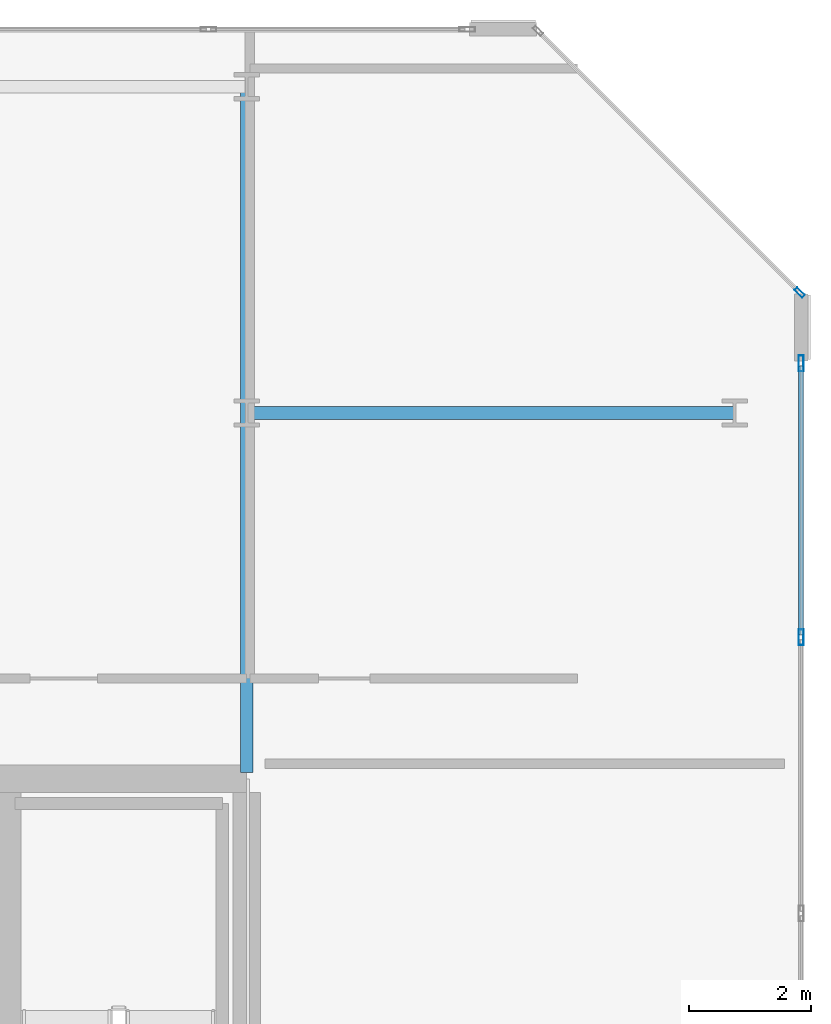
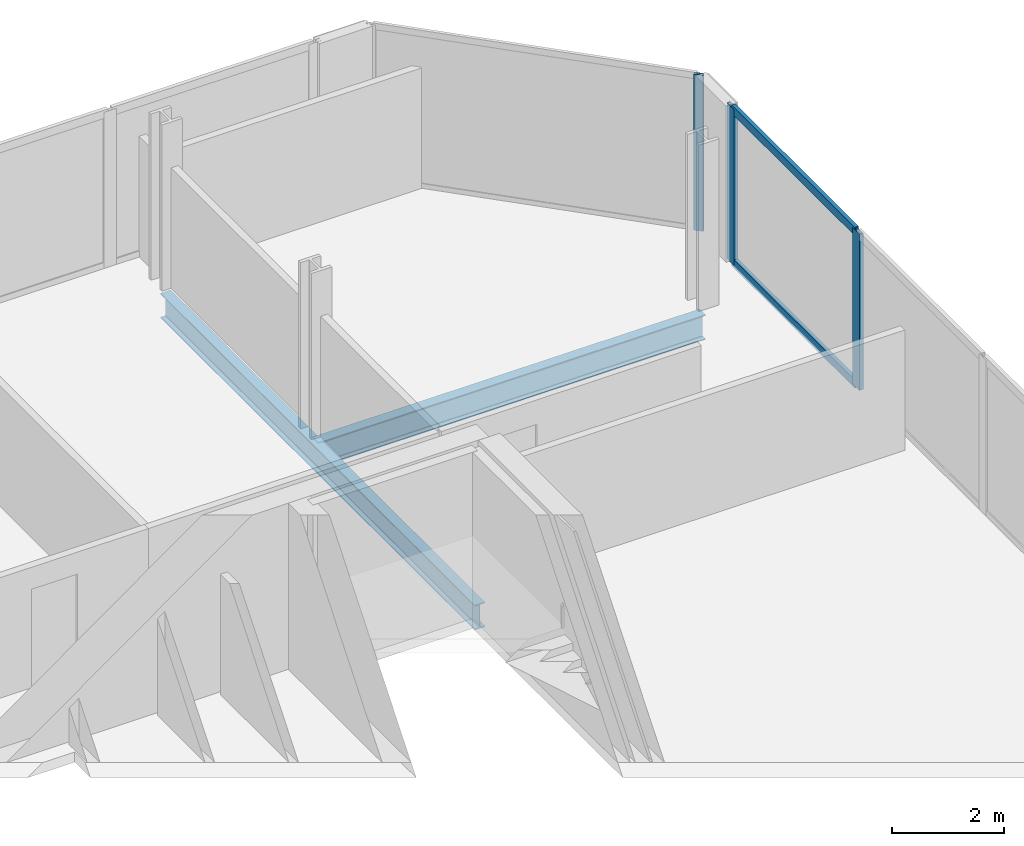
# One storey, part 11 of 17: 5 members, 2 beams, 2 elements without a shape of their own.
"""IFC4 building model written with IfcOpenShell, lengths in metres."""

from ifc_helpers import new_model, si_unit, direction, frame, origin, origin_2d, place, context, subcontext, project, spatial, hollow_rectangle, i_section, extrude, material, layer, layer_set, material_profile, profile_set, type_object, element, aggregate, save


model = new_model("IFC4")

# Units and contexts
model_context = context("Model", 3, precision=1e-05, world=origin(), true_north=direction((0.0, 1.0)))
body_context = subcontext(model_context, "Body", "Model", "MODEL_VIEW")
ifc_project = project(units=[si_unit("LENGTHUNIT", "METRE"), si_unit("AREAUNIT", "SQUARE_METRE"), si_unit("VOLUMEUNIT", "CUBIC_METRE"), si_unit("PLANEANGLEUNIT", "RADIAN"), si_unit("MASSUNIT", "GRAM", prefix="KILO")], contexts=[model_context])

# Site, building, storey
site_placement = place(None, origin())
site = spatial("IfcSite", under=ifc_project, at=site_placement, CompositionType="ELEMENT")
building_placement = place(site_placement, origin())
building = spatial("IfcBuilding", under=site, at=building_placement, Name="Tanjung Sevakor Pilgrim Tower", CompositionType="ELEMENT")
storey_placement = place(building_placement, frame((0.0, 0.0, 264.330078125)))
storey = spatial("IfcBuildingStorey", under=building, at=storey_placement, Name="L74", CompositionType="ELEMENT", Elevation=264.330078125)

# Beams
ifc_material_1 = material(Name="Steel S355J2", Category="steel")
ifc_material_profile_1 = material_profile(ifc_material_1, i_section(OverallWidth=0.2119140625, OverallDepth=0.54443359375, WebThickness=0.0126953125, FlangeThickness=0.021240234375, FilletRadius=0.0126953125, at=origin_2d()))
ifc_profile_set_1 = profile_set([ifc_material_profile_1], Name="Steel S355J2")
beam_type_1 = type_object("IfcBeamType", Name="BM-B-G5-UB_533x210x122", PredefinedType="BEAM", material=ifc_profile_set_1)
beam_1_placement = place(storey_placement, frame((90.0, 48.60009765625, -0.4921875), z_axis=(1.0, 0.0, 0.0), x_axis=(0.0, 1.0, 0.0)))
element("IfcBeam", 1, at=beam_1_placement, inside=storey, type_object=beam_type_1, Name="L74 East Peak Wing Girder Y48.6", PredefinedType="BEAM", context=body_context, shape_type="SweptSolid", body=[
    extrude(i_section(OverallWidth=0.2119140625, OverallDepth=0.54443359375, WebThickness=0.0126953125, FlangeThickness=0.021240234375, FilletRadius=0.0126953125, at=origin_2d()), origin(), (0.0, 0.0, 1.0), 8.0),
])
ifc_material_2 = material(Name="Steel S355J2", Category="steel")
ifc_material_profile_2 = material_profile(ifc_material_2, i_section(OverallWidth=0.210693359375, OverallDepth=0.53955078125, WebThickness=0.01171875, FlangeThickness=0.018798828125, FilletRadius=0.0126953125, at=origin_2d()))
ifc_profile_set_2 = profile_set([ifc_material_profile_2], Name="Steel S355J2")
beam_type_2 = type_object("IfcBeamType", Name="BM-B-G6-UB_533x210x109", PredefinedType="BEAM", material=ifc_profile_set_2)
beam_2_placement = place(storey_placement, frame((90.0, 42.7060546875, -0.48974609375), z_axis=(0.0, 1.0, 0.0), x_axis=(-1.0, 0.0, 0.0)))
element("IfcBeam", 2, at=beam_2_placement, inside=storey, type_object=beam_type_2, Name="L74 EAST Girder 010", PredefinedType="BEAM", context=body_context, shape_type="SweptSolid", body=[
    extrude(i_section(OverallWidth=0.210693359375, OverallDepth=0.53955078125, WebThickness=0.01171875, FlangeThickness=0.018798828125, FilletRadius=0.0126953125, at=origin_2d()), origin(), (0.0, 0.0, 1.0), 11.243896484375),
])

# Curtain wall, member
ifc_material_3 = material(Name="Aluminium 6063-T6 and Low-E Glass", Category="aluminium")
ifc_layer_1 = layer(ifc_material_3, 0.179931640625)
ifc_layer_set_1 = layer_set([ifc_layer_1], Name="CW-SYS-CHAM")
curtain_wall_type_1 = type_object("IfcCurtainWallType", Name="CW-SYS-CHAM", PredefinedType="NOTDEFINED", material=ifc_layer_set_1)
curtain_wall_1_placement = place(storey_placement, origin())
curtain_wall_1 = element("IfcCurtainWall", 3, at=curtain_wall_1_placement, inside=storey, type_object=curtain_wall_type_1, Name="L74 Curtain Wall CW-CHM-L74-EAST-3", PredefinedType="NOTDEFINED")
ifc_material_4 = material(Name="Aluminium 6063-T6", Category="aluminium")
ifc_material_profile_3 = material_profile(ifc_material_4, hollow_rectangle(XDim=0.06494140625, YDim=0.179931640625, WallThickness=0.00390625, at=origin_2d()))
ifc_profile_set_3 = profile_set([ifc_material_profile_3], Name="Aluminium 6063-T6")
member_type_1 = type_object("IfcMemberType", Name="TYPE-CWM-1", PredefinedType="MULLION", material=ifc_profile_set_3)
member_1_placement = place(storey_placement, frame((99.067138671875, 50.577392578125, 0.0), z_axis=(0.0, 0.0, 1.0), x_axis=(-0.707106781187, -0.707106781187, 0.0)))
member_1 = element("IfcMember", 4, at=member_1_placement, type_object=member_type_1, Name="CW-CHM mullion 1", PredefinedType="MULLION", context=body_context, shape_type="SweptSolid", body=[
    extrude(hollow_rectangle(XDim=0.06494140625, YDim=0.179931640625, WallThickness=0.00390625, at=origin_2d()), origin(), (0.0, 0.0, 1.0), 3.409912109375),
])
aggregate(curtain_wall_1, [member_1])

# Curtain wall, members
ifc_material_5 = material(Name="Aluminium 6063-T6 and Low-E Glass", Category="aluminium")
ifc_layer_2 = layer(ifc_material_5, 0.219970703125)
ifc_layer_set_2 = layer_set([ifc_layer_2], Name="CW-SYS-CRNE")
curtain_wall_type_2 = type_object("IfcCurtainWallType", Name="CW-SYS-CRNE", PredefinedType="NOTDEFINED", material=ifc_layer_set_2)
curtain_wall_2_placement = place(storey_placement, origin())
curtain_wall_2 = element("IfcCurtainWall", 5, at=curtain_wall_2_placement, inside=storey, type_object=curtain_wall_type_2, Name="L74 Curtain Wall CW-CRN-L74-EAST-2-1", PredefinedType="NOTDEFINED")
ifc_material_6 = material(Name="Aluminium 6063-T6", Category="aluminium")
ifc_material_profile_4 = material_profile(ifc_material_6, hollow_rectangle(XDim=0.080078125, YDim=0.260009765625, WallThickness=0.0048828125, at=origin_2d()))
ifc_profile_set_4 = profile_set([ifc_material_profile_4], Name="Aluminium 6063-T6")
member_type_2 = type_object("IfcMemberType", Name="TYPE-CWM-3", PredefinedType="MULLION", material=ifc_profile_set_4)
member_2_placement = place(storey_placement, frame((99.090087890625, 44.924560546875, 0.0), z_axis=(0.0, 0.0, 1.0), x_axis=(-1.0, 0.0, 0.0)))
member_2 = element("IfcMember", 6, at=member_2_placement, type_object=member_type_2, Name="CW-CRE mullion 7", PredefinedType="MULLION", context=body_context, shape_type="SweptSolid", body=[
    extrude(hollow_rectangle(XDim=0.080078125, YDim=0.260009765625, WallThickness=0.0048828125, at=origin_2d()), origin(), (0.0, 0.0, 1.0), 3.409912109375),
])
member_3_placement = place(storey_placement, frame((99.090087890625, 49.414306640625, 0.0), z_axis=(0.0, 0.0, 1.0), x_axis=(-1.0, 0.0, 0.0)))
member_3 = element("IfcMember", 7, at=member_3_placement, type_object=member_type_2, Name="CW-CRE mullion 8", PredefinedType="MULLION", context=body_context, shape_type="SweptSolid", body=[
    extrude(hollow_rectangle(XDim=0.080078125, YDim=0.260009765625, WallThickness=0.0048828125, at=origin_2d()), origin(), (0.0, 0.0, 1.0), 3.409912109375),
])
ifc_material_7 = material(Name="Aluminium 6063-T6", Category="aluminium")
ifc_material_profile_5 = material_profile(ifc_material_7, hollow_rectangle(XDim=0.080078125, YDim=0.179931640625, WallThickness=0.0048828125, at=origin_2d()))
ifc_profile_set_5 = profile_set([ifc_material_profile_5], Name="Aluminium 6063-T6")
member_type_3 = type_object("IfcMemberType", Name="TYPE-CWT-3", PredefinedType="USERDEFINED", material=ifc_profile_set_5)
member_4_placement = place(storey_placement, frame((99.090087890625, 44.964599609375, 0.0400390625), z_axis=(0.0, 1.0, 0.0), x_axis=(-1.0, 0.0, 0.0)))
member_4 = element("IfcMember", 8, at=member_4_placement, type_object=member_type_3, Name="CW-CRE transom 7.1", ObjectType="TRANSOM", PredefinedType="USERDEFINED", context=body_context, shape_type="SweptSolid", body=[
    extrude(hollow_rectangle(XDim=0.080078125, YDim=0.179931640625, WallThickness=0.0048828125, at=origin_2d()), origin(), (0.0, 0.0, 1.0), 4.409912109375),
])
member_5_placement = place(storey_placement, frame((99.090087890625, 44.964599609375, 3.369873046875), z_axis=(0.0, 1.0, 0.0), x_axis=(-1.0, 0.0, 0.0)))
member_5 = element("IfcMember", 9, at=member_5_placement, type_object=member_type_3, Name="CW-CRE transom 7.2", ObjectType="TRANSOM", PredefinedType="USERDEFINED", context=body_context, shape_type="SweptSolid", body=[
    extrude(hollow_rectangle(XDim=0.080078125, YDim=0.179931640625, WallThickness=0.0048828125, at=origin_2d()), origin(), (0.0, 0.0, 1.0), 4.409912109375),
])
aggregate(curtain_wall_2, [member_2, member_3, member_4, member_5])

save(model, "model.ifc")
